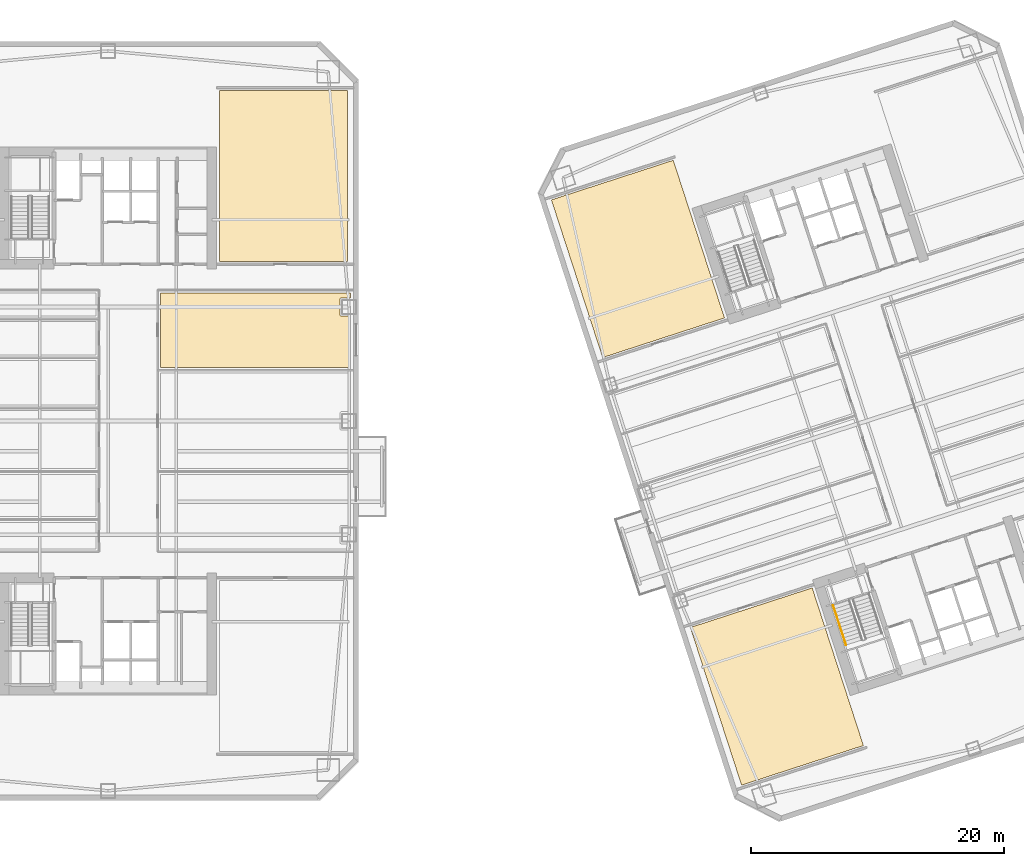
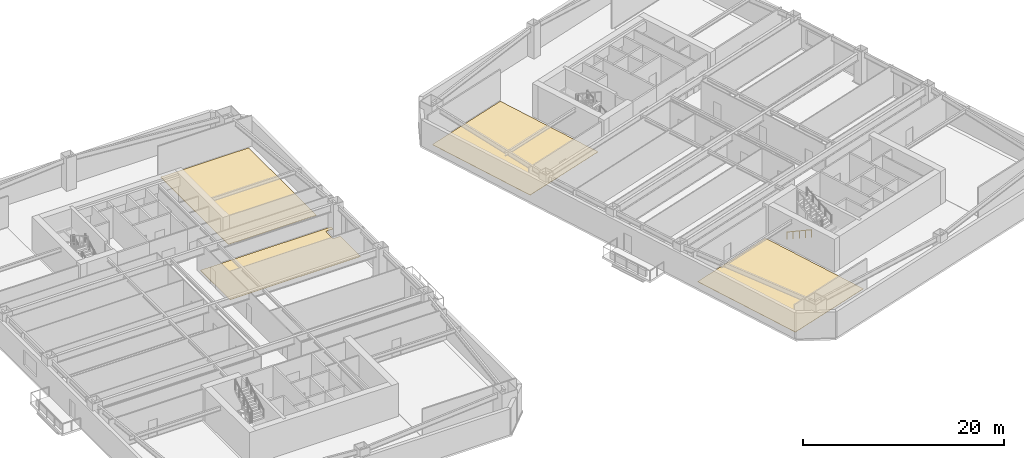
# One storey, part 14 of 18: 4 coverings, 1 railing.
"""IFC4 building model written with IfcOpenShell, lengths in metres."""

from ifc_helpers import new_model, si_unit, direction, frame, origin, origin_2d, place, context, subcontext, project, spatial, polyline, circle, outline, extrude, material, layer, layer_set, type_object, element, save


model = new_model("IFC4")

# Units and contexts
model_context = context("Model", 3, precision=1e-05, world=origin(), true_north=direction((0.0, 1.0)))
body_context = subcontext(model_context, "Body", "Model", "MODEL_VIEW")
ifc_project = project(units=[si_unit("LENGTHUNIT", "METRE"), si_unit("AREAUNIT", "SQUARE_METRE"), si_unit("VOLUMEUNIT", "CUBIC_METRE"), si_unit("PLANEANGLEUNIT", "RADIAN"), si_unit("MASSUNIT", "GRAM", prefix="KILO")], contexts=[model_context])

# Site, building, storey
site_placement = place(None, origin())
site = spatial("IfcSite", under=ifc_project, at=site_placement, CompositionType="ELEMENT")
building_placement = place(site_placement, origin())
building = spatial("IfcBuilding", under=site, at=building_placement, Name="Qiaolan Cultural Towers", CompositionType="ELEMENT")
storey_placement = place(building_placement, frame((0.0, 0.0, 38.0)))
storey = spatial("IfcBuildingStorey", under=building, at=storey_placement, Name="L08", CompositionType="ELEMENT", Elevation=38.0)

# Coverings
ifc_material_1 = material(Name="Honed Terrazzo & Raised Access Flooring", Category="concrete")
ifc_layer = layer(ifc_material_1, 0.0400390625)
ifc_layer_set = layer_set([ifc_layer], Name="Honed Terrazzo & Raised Access Flooring")
covering_type = type_object("IfcCoveringType", Name="COV-FLR-STONE", PredefinedType="FLOORING", material=ifc_layer_set)
covering_1_placement = place(storey_placement, origin())
element("IfcCovering", 1, at=covering_1_placement, inside=storey, type_object=covering_type, Name="L08 Corner Wellness Consultation Room Finish Flooring", PredefinedType="FLOORING", context=body_context, shape_type="SweptSolid", body=[
    extrude(outline(polyline([(48.929931640625, 46.6201171875), (48.929931640625, 60.1298828125), (38.800048828125, 60.1298828125), (38.800048828125, 46.6201171875), (48.929931640625, 46.6201171875)])), origin(), (0.0, 0.0, 1.0), 0.0400390625),
])
covering_2_placement = place(storey_placement, origin())
element("IfcCovering", 2, at=covering_2_placement, inside=storey, type_object=covering_type, Name="L08 Staff Dining Kitchen Finish Flooring", PredefinedType="FLOORING", context=body_context, shape_type="SweptSolid", body=[
    extrude(outline(polyline([(49.159912109375, 42.27490234375), (48.445068359375, 42.27490234375), (48.433349609375, 42.275634765625), (48.421630859375, 42.27734375), (48.41015625, 42.2802734375), (48.399169921875, 42.2841796875), (48.388427734375, 42.2890625), (48.37841796875, 42.295166015625), (48.368896484375, 42.30224609375), (48.360107421875, 42.31005859375), (48.352294921875, 42.31884765625), (48.34521484375, 42.328369140625), (48.339111328125, 42.33837890625), (48.334228515625, 42.34912109375), (48.330078125, 42.360107421875), (48.327392578125, 42.37158203125), (48.32568359375, 42.38330078125), (48.324951171875, 42.39501953125), (48.324951171875, 43.60498046875), (48.32568359375, 43.61669921875), (48.327392578125, 43.62841796875), (48.330078125, 43.639892578125), (48.334228515625, 43.65087890625), (48.339111328125, 43.66162109375), (48.34521484375, 43.671630859375), (48.352294921875, 43.68115234375), (48.360107421875, 43.68994140625), (48.368896484375, 43.69775390625), (48.37841796875, 43.704833984375), (48.388427734375, 43.7109375), (48.399169921875, 43.7158203125), (48.41015625, 43.7197265625), (48.421630859375, 43.72265625), (48.433349609375, 43.724365234375), (48.445068359375, 43.72509765625), (49.159912109375, 43.72509765625), (49.159912109375, 44.1298828125), (34.14501953125, 44.1298828125), (34.14501953125, 38.219970703125), (49.159912109375, 38.219970703125), (49.159912109375, 42.27490234375)])), origin(), (0.0, 0.0, 1.0), 0.0400390625),
])
covering_3_placement = place(storey_placement, origin())
element("IfcCovering", 3, at=covering_3_placement, inside=storey, type_object=covering_type, Name="L08 Corner Project Briefing Room Finish Flooring", PredefinedType="FLOORING", context=body_context, shape_type="SweptSolid", body=[
    extrude(outline(polyline([(89.7197265625, 8.326904296875), (85.66845703125, 20.795166015625), (76.034423828125, 17.664794921875), (80.08544921875, 5.196533203125), (89.7197265625, 8.326904296875)])), origin(), (0.0, 0.0, 1.0), 0.0400390625),
])
covering_4_placement = place(storey_placement, origin())
element("IfcCovering", 4, at=covering_4_placement, inside=storey, type_object=covering_type, Name="L08 Corner Curatorial Research Office Finish Flooring", PredefinedType="FLOORING", context=body_context, shape_type="SweptSolid", body=[
    extrude(outline(polyline([(78.734130859375, 42.136962890625), (74.682861328125, 54.605224609375), (65.048828125, 51.474853515625), (69.099853515625, 39.006591796875), (78.734130859375, 42.136962890625)])), origin(), (0.0, 0.0, 1.0), 0.0400390625),
])

# Railing
ifc_material_2 = material(Name="Stainless Steel S30408 Tubular Handrail", Category="steel")
railing_type = type_object("IfcRailingType", Name="RL-STAIR-HR", PredefinedType="HANDRAIL", material=ifc_material_2)
railing_placement = place(storey_placement, frame((87.32763671875, 19.41015625, 0.166748046875)))
element("IfcRailing", 5, at=railing_placement, inside=storey, type_object=railing_type, Name="L08 ST-E1 stair handrail 1", PredefinedType="HANDRAIL", context=body_context, shape_type="SweptSolid", body=[
    extrude(circle(Radius=0.02392578125, at=origin_2d()), frame((0.0, 0.0, 0.8759765625), z_axis=(0.270140520196, -0.831375721119, 0.485632072336), x_axis=(0.951053095941, 0.309027520945, 0.0)), (0.0, 0.0, 1.0), 3.77490234375),
    extrude(circle(Radius=0.02099609375, at=origin_2d()), origin(), (0.0, 0.0, 1.0), 0.851806640625),
    extrude(circle(Radius=0.02099609375, at=origin_2d()), frame((0.2548828125, -0.78466796875, 0.458251953125)), (0.0, 0.0, 1.0), 0.851806640625),
    extrude(circle(Radius=0.02099609375, at=origin_2d()), frame((0.509765625, -1.5693359375, 0.91650390625)), (0.0, 0.0, 1.0), 0.851806640625),
    extrude(circle(Radius=0.02099609375, at=origin_2d()), frame((0.764892578125, -2.353759765625, 1.375)), (0.0, 0.0, 1.0), 0.851806640625),
    extrude(circle(Radius=0.02099609375, at=origin_2d()), frame((1.019775390625, -3.138427734375, 1.833251953125)), (0.0, 0.0, 1.0), 0.851806640625),
])

save(model, "model.ifc")
